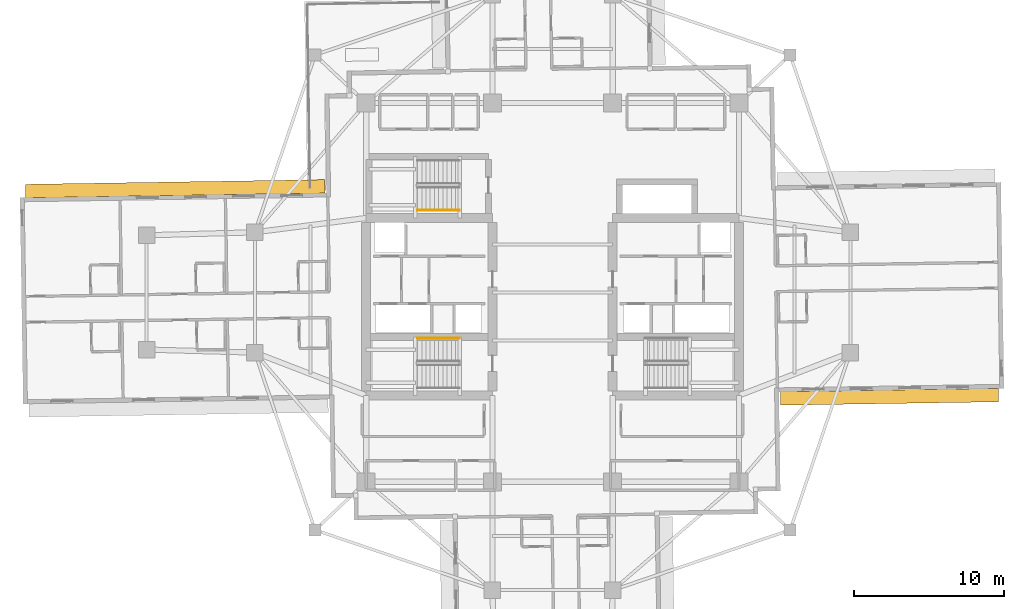
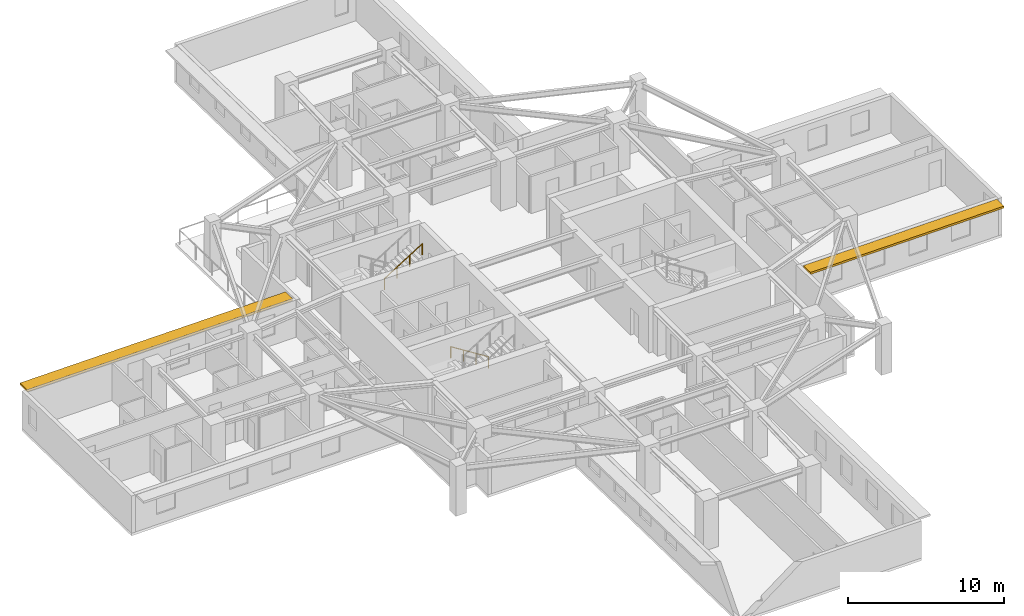
# One storey, part 11 of 13: 2 railings, 2 shading devices.
"""IFC4 building model written with IfcOpenShell, lengths in metres."""

from ifc_helpers import new_model, si_unit, direction, frame, origin, origin_2d, place, context, subcontext, project, spatial, rectangle, circle, extrude, material, layer, layer_set, type_object, element, save


model = new_model("IFC4")

# Units and contexts
model_context = context("Model", 3, precision=1e-05, world=origin(), true_north=direction((0.0, 1.0)))
body_context = subcontext(model_context, "Body", "Model", "MODEL_VIEW")
ifc_project = project(units=[si_unit("LENGTHUNIT", "METRE"), si_unit("AREAUNIT", "SQUARE_METRE"), si_unit("VOLUMEUNIT", "CUBIC_METRE"), si_unit("PLANEANGLEUNIT", "RADIAN"), si_unit("MASSUNIT", "GRAM", prefix="KILO")], contexts=[model_context])

# Site, building, storey
site_placement = place(None, origin())
site = spatial("IfcSite", under=ifc_project, at=site_placement, CompositionType="ELEMENT")
building_placement = place(site_placement, origin())
building = spatial("IfcBuilding", under=site, at=building_placement, Name="Qingluan Cross Belvedere", CompositionType="ELEMENT")
storey_placement = place(building_placement, frame((0.0, 0.0, 139.800048828125)))
storey = spatial("IfcBuildingStorey", under=building, at=storey_placement, Name="L35", CompositionType="ELEMENT", Elevation=139.800048828125)

# Shading devices
ifc_material_1 = material(Name="Precast concrete C45", Category="concrete")
ifc_layer = layer(ifc_material_1, 0.159912109375, Name="ConcreteSunshadeBand_900")
ifc_layer_set = layer_set([ifc_layer], Name="Precast concrete C45")
shading_device_type = type_object("IfcShadingDeviceType", Name="ConcreteSunshadeBand_900", PredefinedType="USERDEFINED", material=ifc_layer_set)
shading_device_1_placement = place(storey_placement, frame((22.40185546875, -6.93896484375, 2.740234375), z_axis=(0.0, 0.0, 1.0), x_axis=(0.999876630106, 0.015707468526, 0.0)))
element("IfcShadingDevice", 1, at=shading_device_1_placement, inside=storey, type_object=shading_device_type, Name="Concrete SUNSHADE L35-EA", ObjectType="SUNSHADE", PredefinedType="USERDEFINED", context=body_context, shape_type="SweptSolid", body=[
    extrude(rectangle(XDim=14.5, YDim=0.89990234375, at=origin_2d()), origin(), (0.0, 0.0, 1.0), 0.159912109375),
])
shading_device_2_placement = place(storey_placement, frame((-25.101318359375, 6.896484375, 2.740234375), z_axis=(0.0, 0.0, 1.0), x_axis=(-0.999876645576, -0.015706483741, 0.0)))
element("IfcShadingDevice", 2, at=shading_device_2_placement, inside=storey, type_object=shading_device_type, Name="Concrete SUNSHADE L35-WA", ObjectType="SUNSHADE", PredefinedType="USERDEFINED", context=body_context, shape_type="SweptSolid", body=[
    extrude(rectangle(XDim=19.89990234375, YDim=0.89990234375, at=origin_2d()), origin(), (0.0, 0.0, 1.0), 0.159912109375),
])

# Railings
ifc_material_2 = material(Name="Brushed stainless steel tubular handrail", Category="steel")
railing_type = type_object("IfcRailingType", Name="StairPitchHandrail_900", PredefinedType="HANDRAIL", material=ifc_material_2)
railing_1_placement = place(storey_placement, frame((-6.179931640625, -3.050048828125, 0.17724609375)))
element("IfcRailing", 3, at=railing_1_placement, inside=storey, type_object=railing_type, Name="L35 ST1 stair handrail 1", PredefinedType="HANDRAIL", context=body_context, shape_type="SweptSolid", body=[
    extrude(circle(Radius=0.02392578125, at=origin_2d()), frame((0.0, 0.0, 0.8759765625), z_axis=(-0.844908973607, 0.0, 0.534910110503), x_axis=(0.0, -1.0, 0.0)), (0.0, 0.0, 1.0), 3.31396484375),
    extrude(circle(Radius=0.02099609375, at=origin_2d()), origin(), (0.0, 0.0, 1.0), 0.851806640625),
    extrude(circle(Radius=0.02099609375, at=origin_2d()), frame((-0.933349609375, 0.0, 0.5908203125)), (0.0, 0.0, 1.0), 0.851806640625),
    extrude(circle(Radius=0.02099609375, at=origin_2d()), frame((-1.86669921875, 0.0, 1.181884765625)), (0.0, 0.0, 1.0), 0.851806640625),
    extrude(circle(Radius=0.02099609375, at=origin_2d()), frame((-2.800048828125, 0.0, 1.772705078125)), (0.0, 0.0, 1.0), 0.851806640625),
])
railing_2_placement = place(storey_placement, frame((-8.97998046875, 5.469970703125, 2.127197265625)))
element("IfcRailing", 4, at=railing_2_placement, inside=storey, type_object=railing_type, Name="L35 ST3 stair handrail 2", PredefinedType="HANDRAIL", context=body_context, shape_type="SweptSolid", body=[
    extrude(circle(Radius=0.02392578125, at=origin_2d()), frame((0.0, 0.0, 0.8759765625), z_axis=(0.844908973607, 0.0, 0.534910110503), x_axis=(0.0, 1.0, 0.0)), (0.0, 0.0, 1.0), 3.31396484375),
    extrude(circle(Radius=0.02099609375, at=origin_2d()), origin(), (0.0, 0.0, 1.0), 0.851806640625),
    extrude(circle(Radius=0.02099609375, at=origin_2d()), frame((0.933349609375, 0.0, 0.5908203125)), (0.0, 0.0, 1.0), 0.851806640625),
    extrude(circle(Radius=0.02099609375, at=origin_2d()), frame((1.86669921875, 0.0, 1.181884765625)), (0.0, 0.0, 1.0), 0.851806640625),
    extrude(circle(Radius=0.02099609375, at=origin_2d()), frame((2.800048828125, 0.0, 1.772705078125)), (0.0, 0.0, 1.0), 0.851806640625),
])

save(model, "model.ifc")
